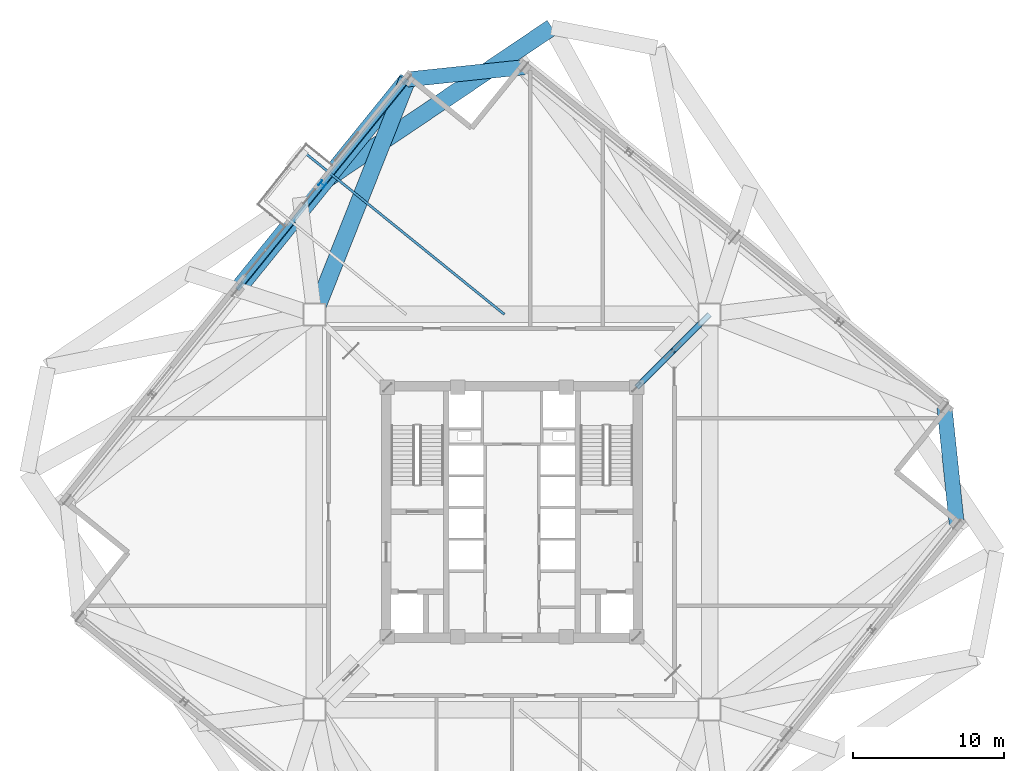
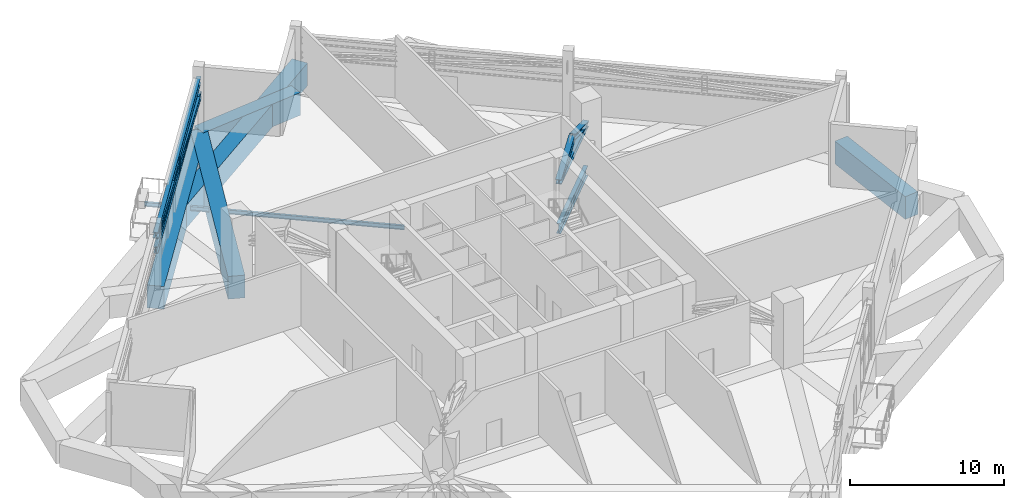
# One storey, part 10 of 22: 7 beams, 7 members.
"""IFC4 building model written with IfcOpenShell, lengths in metres."""

from ifc_helpers import new_model, si_unit, direction, frame, origin, origin_2d, place, context, subcontext, project, spatial, rectangle, i_section, extrude, source, transform, mapped, material, material_profile, profile_set, type_object, element, save


model = new_model("IFC4")

# Units and contexts
model_context = context("Model", 3, precision=1e-05, world=origin(), true_north=direction((0.0, 1.0)))
body_context = subcontext(model_context, "Body", "Model", "MODEL_VIEW")
ifc_project = project(units=[si_unit("LENGTHUNIT", "METRE"), si_unit("AREAUNIT", "SQUARE_METRE"), si_unit("VOLUMEUNIT", "CUBIC_METRE"), si_unit("PLANEANGLEUNIT", "RADIAN"), si_unit("MASSUNIT", "GRAM", prefix="KILO"), si_unit("THERMODYNAMICTEMPERATUREUNIT", "KELVIN")], contexts=[model_context])

# Site, building, storey
site_placement = place(None, origin())
site = spatial("IfcSite", under=ifc_project, at=site_placement, CompositionType="ELEMENT")
building_placement = place(site_placement, origin())
building = spatial("IfcBuilding", under=site, at=building_placement, Name="Kosmvard Interchange Tower", CompositionType="ELEMENT")
storey_placement = place(building_placement, frame((0.0, 0.0, 200.39990234375)))
storey = spatial("IfcBuildingStorey", under=building, at=storey_placement, Name="L48", CompositionType="ELEMENT", Elevation=200.39990234375)

# Member
ifc_material_1 = material(Name="Steel S460", Category="steel")
ifc_material_profile_1 = material_profile(ifc_material_1, i_section(OverallWidth=0.40087890625, OverallDepth=0.39892578125, WebThickness=0.0185546875, FlangeThickness=0.028076171875, FilletRadius=0.014892578125, at=origin_2d()), Name="HD 400x314")
ifc_profile_set_1 = profile_set([ifc_material_profile_1], Name="Steel S460")
member_type_1 = type_object("IfcMemberType", Name="Outrigger Top and Bottom Chord HD 400x314 S460", PredefinedType="CHORD", material=ifc_profile_set_1)
shared_shape_1 = source(origin(), body_context, "Body", "SweptSolid", [
    extrude(i_section(OverallWidth=0.40087890625, OverallDepth=0.39892578125, WebThickness=0.0185546875, FlangeThickness=0.028076171875, FilletRadius=0.014892578125, at=origin_2d()), origin(), (0.0, 0.0, 1.0), 6.83203125),
])
member_1_placement = place(storey_placement, frame((8.25, 8.25, 2.920166015625), z_axis=(0.707106781187, 0.707106781187, 0.0), x_axis=(-0.707106781187, 0.707106781187, 0.0)))
element("IfcMember", 1, at=member_1_placement, inside=storey, type_object=member_type_1, Name="L48 Outrigger Bottom Chord 3", PredefinedType="CHORD", context=body_context, shape_type="MappedRepresentation", body=[
    mapped(shared_shape_1, transform((0.0, 0.0, 0.0), scale=1.0)),
])

# Beams
ifc_material_2 = material(Name="Concrete C60/75", Category="concrete")
ifc_material_profile_2 = material_profile(ifc_material_2, rectangle(XDim=1.1201171875, YDim=1.800048828125, at=origin_2d()), Name="TG 1120x1800")
ifc_profile_set_2 = profile_set([ifc_material_profile_2], Name="Concrete C60/75")
beam_type_1 = type_object("IfcBeamType", Name="Zone Long-Span Transfer Girder 1120x1800 C60/75", PredefinedType="USERDEFINED", material=ifc_profile_set_2)
shared_shape_2 = source(origin(), body_context, "Body", "SweptSolid", [
    extrude(rectangle(XDim=1.1201171875, YDim=1.800048828125, at=origin_2d()), origin(), (0.0, 0.0, 1.0), 20.125),
])
beam_1_placement = place(storey_placement, frame((2.634765625, 32.083251953125, -0.89990234375), z_axis=(-0.82904270175, -0.559185299051, 0.0), x_axis=(0.559185299051, -0.82904270175, 0.0)))
element("IfcBeam", 2, at=beam_1_placement, inside=storey, type_object=beam_type_1, Name="BM-L48-LR07", ObjectType="TRANSFER_GIRDER", PredefinedType="USERDEFINED", context=body_context, shape_type="MappedRepresentation", body=[
    mapped(shared_shape_2, transform((0.0, 0.0, 0.0), scale=1.0)),
])
ifc_material_3 = material(Name="Steel S355", Category="steel")
ifc_material_profile_3 = material_profile(ifc_material_3, i_section(OverallWidth=0.300048828125, OverallDepth=0.800048828125, WebThickness=0.017578125, FlangeThickness=0.032958984375, FilletRadius=0.027099609375, at=origin_2d()), Name="HEB 800")
ifc_profile_set_3 = profile_set([ifc_material_profile_3], Name="Steel S355")
beam_type_2 = type_object("IfcBeamType", Name="Primary Mega-Frame Girder HEB 800 S355", PredefinedType="BEAM", material=ifc_profile_set_3)
shared_shape_3 = source(origin(), body_context, "Body", "SweptSolid", [
    extrude(i_section(OverallWidth=0.300048828125, OverallDepth=0.800048828125, WebThickness=0.017578125, FlangeThickness=0.032958984375, FilletRadius=0.027099609375, at=origin_2d()), origin(), (0.0, 0.0, 1.0), 6.83203125),
])
beam_2_placement = place(storey_placement, frame((8.25, 8.25, -0.7998046875), z_axis=(0.707106781187, 0.707106781187, 0.0), x_axis=(-0.707106781187, 0.707106781187, 0.0)))
element("IfcBeam", 3, at=beam_2_placement, inside=storey, type_object=beam_type_2, Name="L48 Radial Mega-Frame Girder 3", PredefinedType="BEAM", context=body_context, shape_type="MappedRepresentation", body=[
    mapped(shared_shape_3, transform((0.0, 0.0, 0.0), scale=1.0)),
])
shared_shape_4 = source(origin(), body_context, "Body", "SweptSolid", [
    extrude(rectangle(XDim=1.1201171875, YDim=1.800048828125, at=origin_2d()), origin(), (0.0, 0.0, 1.0), 16.7314453125),
])
beam_3_placement = place(storey_placement, frame((-13.0810546875, 13.0810546875, -0.89990234375), z_axis=(0.368208500474, 0.929743244223, 0.0), x_axis=(-0.929743244223, 0.368208500474, 0.0)))
element("IfcBeam", 4, at=beam_3_placement, inside=storey, type_object=beam_type_1, Name="BM-L48-RD07", ObjectType="TRANSFER_GIRDER", PredefinedType="USERDEFINED", context=body_context, shape_type="MappedRepresentation", body=[
    mapped(shared_shape_4, transform((0.0, 0.0, 0.0), scale=1.0)),
])
shared_shape_5 = source(origin(), body_context, "Body", "SweptSolid", [
    extrude(rectangle(XDim=1.1201171875, YDim=1.800048828125, at=origin_2d()), origin(), (0.0, 0.0, 1.0), 17.89990234375),
])
beam_4_placement = place(storey_placement, frame((-6.92041015625, 28.636962890625, -0.89990234375), z_axis=(-0.629322990554, -0.777143856413, 0.0), x_axis=(0.777143856413, -0.629322990554, 0.0)))
element("IfcBeam", 5, at=beam_4_placement, inside=storey, type_object=beam_type_1, Name="BM-L48-PR07", ObjectType="TRANSFER_GIRDER", PredefinedType="USERDEFINED", context=body_context, shape_type="MappedRepresentation", body=[
    mapped(shared_shape_5, transform((0.0, 0.0, 0.0), scale=1.0)),
])
ifc_material_profile_4 = material_profile(ifc_material_2, rectangle(XDim=1.0, YDim=1.800048828125, at=origin_2d()), Name="TG 1000x1800")
ifc_profile_set_4 = profile_set([ifc_material_profile_4], Name="Concrete C60/75")
beam_type_3 = type_object("IfcBeamType", Name="Zone Transfer Ring Girder 1000x1800 C60/75", PredefinedType="USERDEFINED", material=ifc_profile_set_4)
shared_shape_6 = source(origin(), body_context, "Body", "SweptSolid", [
    extrude(rectangle(XDim=1.0, YDim=1.800048828125, at=origin_2d()), origin(), (0.0, 0.0, 1.0), 7.7783203125),
])
for number, where, z_axis, x_axis, name in (
    (6, (29.449951171875, -0.815185546875, -0.89990234375), (-0.104521394525, 0.994522638298, 0.0), (-0.994522638298, -0.104521394525, 0.0), "BM-L48-PR03"),
    (7, (0.815185546875, 29.449951171875, -0.89990234375), (-0.994522638298, -0.104521394525, 0.0), (0.104521394525, -0.994522638298, 0.0), "BM-L48-PR06"),
):
    element("IfcBeam", number, at=place(storey_placement, frame(where, z_axis=z_axis, x_axis=x_axis)), inside=storey, type_object=beam_type_3, Name=name, ObjectType="TRANSFER_GIRDER", PredefinedType="USERDEFINED", context=body_context, shape_type="MappedRepresentation", body=[
        mapped(shared_shape_6, transform((0.0, 0.0, 0.0), scale=1.0)),
    ])
ifc_material_profile_5 = material_profile(ifc_material_3, i_section(OverallWidth=0.159912109375, OverallDepth=0.330078125, WebThickness=0.007568359375, FlangeThickness=0.011474609375, FilletRadius=0.01806640625, at=origin_2d()), Name="IPE 330")
ifc_profile_set_5 = profile_set([ifc_material_profile_5], Name="Steel S355")
beam_type_4 = type_object("IfcBeamType", Name="Balcony Cantilever Joist IPE 330 S355", PredefinedType="JOIST", material=ifc_profile_set_5)
shared_shape_7 = source(origin(), body_context, "Body", "SweptSolid", [
    extrude(i_section(OverallWidth=0.159912109375, OverallDepth=0.330078125, WebThickness=0.007568359375, FlangeThickness=0.011474609375, FilletRadius=0.01806640625, at=origin_2d()), origin(), (0.0, 0.0, 1.0), 17.077880859375),
])
beam_5_placement = place(storey_placement, frame((-0.501953125, 13.0810546875, -0.56494140625), z_axis=(-0.777149314758, 0.629316250045, 0.0), x_axis=(-0.629316250045, -0.777149314758, 0.0)))
element("IfcBeam", 8, at=beam_5_placement, inside=storey, type_object=beam_type_4, Name="BM-L48-BJ1", PredefinedType="JOIST", context=body_context, shape_type="MappedRepresentation", body=[
    mapped(shared_shape_7, transform((0.0, 0.0, 0.0), scale=1.0)),
])

# Members
ifc_material_profile_6 = material_profile(ifc_material_1, i_section(OverallWidth=0.408935546875, OverallDepth=0.425048828125, WebThickness=0.02392578125, FlangeThickness=0.0390625, FilletRadius=0.014892578125, at=origin_2d()), Name="HD 400x421")
ifc_profile_set_6 = profile_set([ifc_material_profile_6], Name="Steel S460")
member_type_2 = type_object("IfcMemberType", Name="Radial Outrigger Diagonal HD 400x421 S460", PredefinedType="BRACE", material=ifc_profile_set_6)
shared_shape_8 = source(origin(), body_context, "Body", "SweptSolid", [
    extrude(i_section(OverallWidth=0.408935546875, OverallDepth=0.425048828125, WebThickness=0.02392578125, FlangeThickness=0.0390625, FilletRadius=0.014892578125, at=origin_2d()), origin(), (0.0, 0.0, 1.0), 3.63427734375),
])
for number, where, z_axis, x_axis, name in (
    (9, (8.25, 8.25, 2.920166015625), (0.664672771684, 0.664672771684, 0.341204063815), (-0.707106781187, 0.707106781187, 0.0), "L48 Outrigger Diagonal 3A"),
    (10, (10.66552734375, 10.66552734375, 4.16015625), (0.664672771684, 0.664672771684, -0.341204063815), (-0.707106781187, 0.707106781187, 0.0), "L48 Outrigger Diagonal 3B"),
):
    element("IfcMember", number, at=place(storey_placement, frame(where, z_axis=z_axis, x_axis=x_axis)), inside=storey, type_object=member_type_2, Name=name, PredefinedType="BRACE", context=body_context, shape_type="MappedRepresentation", body=[
        mapped(shared_shape_8, transform((0.0, 0.0, 0.0), scale=1.0)),
    ])
ifc_material_profile_7 = material_profile(ifc_material_1, i_section(OverallWidth=0.300048828125, OverallDepth=0.5, WebThickness=0.014404296875, FlangeThickness=0.028076171875, FilletRadius=0.027099609375, at=origin_2d()), Name="HEB 500")
ifc_profile_set_7 = profile_set([ifc_material_profile_7], Name="Steel S460")
member_type_3 = type_object("IfcMemberType", Name="Belt Truss Chord HEB 500 S460", PredefinedType="CHORD", material=ifc_profile_set_7)
shared_shape_9 = source(origin(), body_context, "Body", "SweptSolid", [
    extrude(i_section(OverallWidth=0.300048828125, OverallDepth=0.5, WebThickness=0.014404296875, FlangeThickness=0.028076171875, FilletRadius=0.027099609375, at=origin_2d()), origin(), (0.0, 0.0, 1.0), 17.89990234375),
])
for number, where, z_axis, x_axis, name in (
    (11, (-6.92041015625, 28.636962890625, 2.820068359375), (-0.629322990554, -0.777143856413, 0.0), (0.777143856413, -0.629322990554, 0.0), "L48 Belt Truss Bottom Chord N1"),
    (12, (-6.92041015625, 28.636962890625, 3.97998046875), (-0.629322990554, -0.777143856413, 0.0), (0.777143856413, -0.629322990554, 0.0), "L48 Belt Truss Top Chord N1"),
):
    element("IfcMember", number, at=place(storey_placement, frame(where, z_axis=z_axis, x_axis=x_axis)), inside=storey, type_object=member_type_3, Name=name, PredefinedType="CHORD", context=body_context, shape_type="MappedRepresentation", body=[
        mapped(shared_shape_9, transform((0.0, 0.0, 0.0), scale=1.0)),
    ])
ifc_material_profile_8 = material_profile(ifc_material_1, i_section(OverallWidth=0.3759765625, OverallDepth=0.386962890625, WebThickness=0.01953125, FlangeThickness=0.031982421875, FilletRadius=0.014892578125, at=origin_2d()), Name="HD 360x329")
ifc_profile_set_8 = profile_set([ifc_material_profile_8], Name="Steel S460")
member_type_4 = type_object("IfcMemberType", Name="Belt Truss Vertical Post HD 360x329 S460", PredefinedType="STUD", material=ifc_profile_set_8)
shared_shape_10 = source(origin(), body_context, "Body", "SweptSolid", [
    extrude(i_section(OverallWidth=0.3759765625, OverallDepth=0.386962890625, WebThickness=0.01953125, FlangeThickness=0.031982421875, FilletRadius=0.014892578125, at=origin_2d()), origin(), (0.0, 0.0, 1.0), 1.159912109375),
])
member_2_placement = place(storey_placement, frame((-12.552734375, 21.681640625, 2.820068359375), z_axis=(0.0, 0.0, 1.0), x_axis=(0.62932039105, 0.777145961457, 0.0)))
element("IfcMember", 13, at=member_2_placement, inside=storey, type_object=member_type_4, Name="L48 Belt Truss Post N1", PredefinedType="STUD", context=body_context, shape_type="MappedRepresentation", body=[
    mapped(shared_shape_10, transform((0.0, 0.0, 0.0), scale=1.0)),
])
ifc_material_profile_9 = material_profile(ifc_material_1, i_section(OverallWidth=0.406005859375, OverallDepth=0.416015625, WebThickness=0.021484375, FlangeThickness=0.034912109375, FilletRadius=0.014892578125, at=origin_2d()), Name="HD 400x382")
ifc_profile_set_9 = profile_set([ifc_material_profile_9], Name="Steel S460")
member_type_5 = type_object("IfcMemberType", Name="Perimeter Belt Truss Diagonal HD 400x382 S460", PredefinedType="BRACE", material=ifc_profile_set_9)
shared_shape_11 = source(origin(), body_context, "Body", "SweptSolid", [
    extrude(i_section(OverallWidth=0.406005859375, OverallDepth=0.416015625, WebThickness=0.021484375, FlangeThickness=0.034912109375, FilletRadius=0.014892578125, at=origin_2d()), origin(), (0.0, 0.0, 1.0), 17.9375),
])
member_3_placement = place(storey_placement, frame((-6.92041015625, 28.636962890625, 2.820068359375), z_axis=(-0.628005881349, -0.775517373126, 0.064663876862), x_axis=(0.777143856413, -0.629322990554, 0.0)))
element("IfcMember", 14, at=member_3_placement, inside=storey, type_object=member_type_5, Name="L48 Belt Truss Diagonal N1", PredefinedType="BRACE", context=body_context, shape_type="MappedRepresentation", body=[
    mapped(shared_shape_11, transform((0.0, 0.0, 0.0), scale=1.0)),
])

save(model, "model.ifc")
